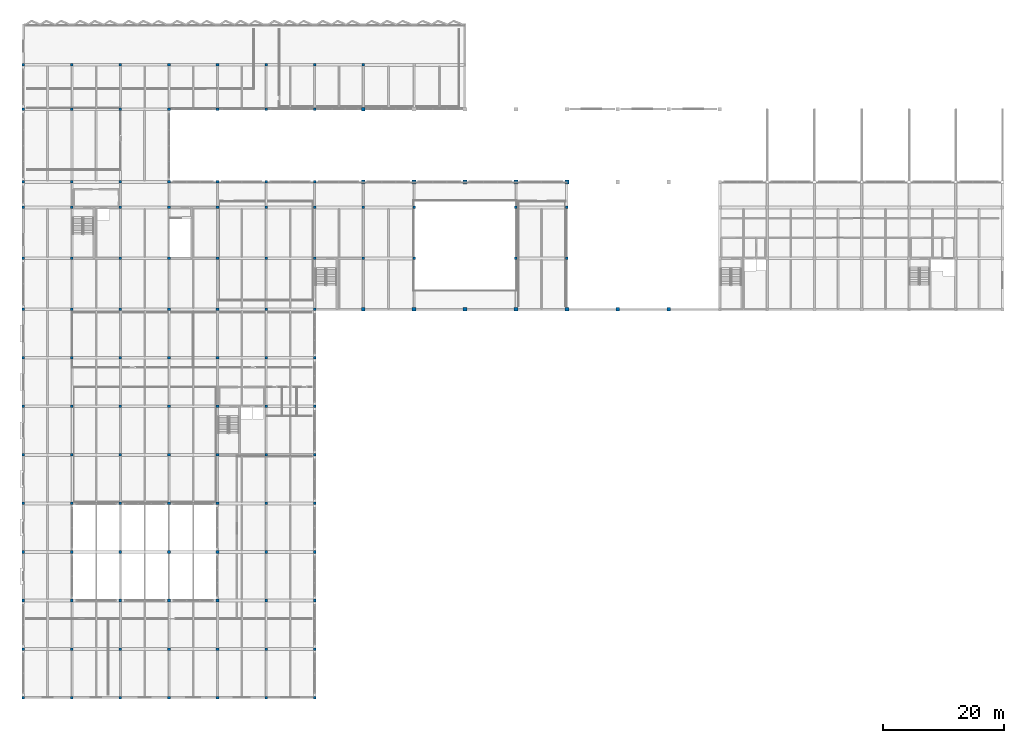
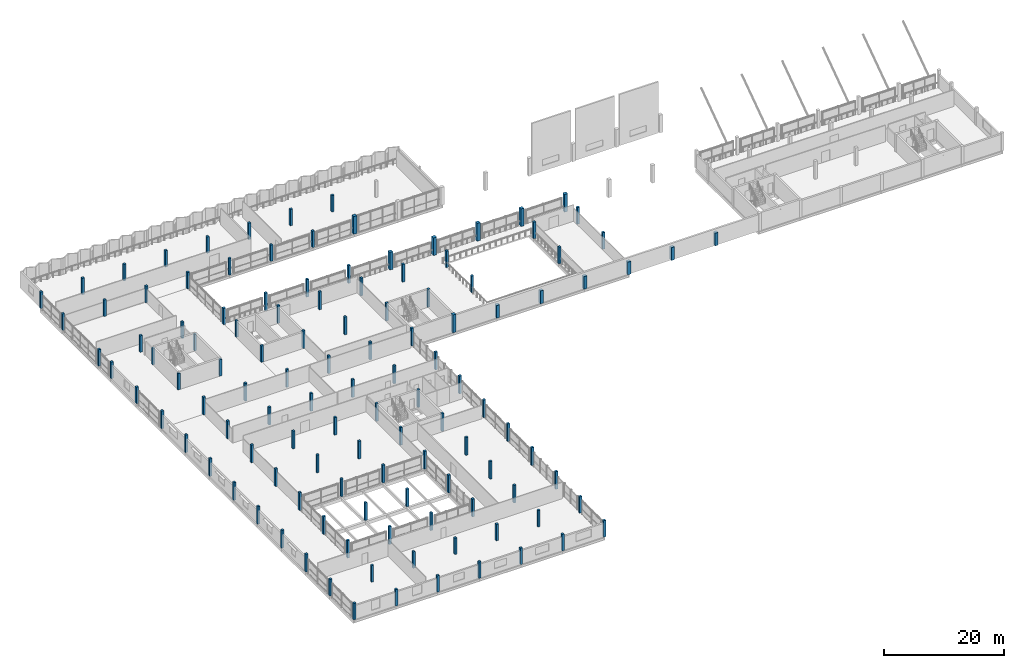
# One storey, part 1 of 51: 120 columns.
"""IFC4 building model written with IfcOpenShell, lengths in metres."""

from ifc_helpers import new_model, si_unit, direction, frame, origin, origin_2d, place, context, subcontext, project, spatial, rectangle, extrude, material, material_profile, profile_set, type_object, element, save


model = new_model("IFC4")

# Units and contexts
model_context = context("Model", 3, precision=1e-05, world=origin(), true_north=direction((0.0, 1.0)))
body_context = subcontext(model_context, "Body", "Model", "MODEL_VIEW")
ifc_project = project(units=[si_unit("LENGTHUNIT", "METRE"), si_unit("AREAUNIT", "SQUARE_METRE"), si_unit("VOLUMEUNIT", "CUBIC_METRE"), si_unit("PLANEANGLEUNIT", "RADIAN"), si_unit("MASSUNIT", "GRAM", prefix="KILO")], contexts=[model_context])

# Site, building, storey
site_placement = place(None, origin())
site = spatial("IfcSite", under=ifc_project, at=site_placement, CompositionType="ELEMENT")
building_placement = place(site_placement, origin())
building = spatial("IfcBuilding", under=site, at=building_placement, Name="Vharandega Faculty of Natural Sciences", CompositionType="ELEMENT")
storey_placement = place(building_placement, frame((0.0, 0.0, 14.39990234375)))
storey = spatial("IfcBuildingStorey", under=building, at=storey_placement, Name="L03", CompositionType="ELEMENT", Elevation=14.39990234375)

# Columns
ifc_material_1 = material(Name="Glulam GL32h", Category="wood")
ifc_material_profile_1 = material_profile(ifc_material_1, rectangle(XDim=0.419921875, YDim=0.419921875, at=origin_2d()), Name="GL32h 420x420")
ifc_profile_set_1 = profile_set([ifc_material_profile_1], Name="Glulam GL32h")
column_type_1 = type_object("IfcColumnType", Name="Glulam Column 420x420", PredefinedType="COLUMN", material=ifc_profile_set_1)
for number, where, z_axis, x_axis, name in (
    (1, (0.0, 0.0, 0.0), (0.0, 0.0, 1.0), (1.0, 0.0, 0.0), "Column 1/A L03"),
    (2, (0.0, 8.0, 0.0), (0.0, 0.0, 1.0), (1.0, 0.0, 0.0), "Column 1/B L03"),
):
    element("IfcColumn", number, at=place(storey_placement, frame(where, z_axis=z_axis, x_axis=x_axis)), inside=storey, type_object=column_type_1, Name=name, PredefinedType="COLUMN", context=body_context, shape_type="SweptSolid", body=[
        extrude(rectangle(XDim=0.419921875, YDim=0.419921875, at=origin_2d()), origin(), (0.0, 0.0, 1.0), 3.340087890625),
    ])
for number, where, z_axis, x_axis, name in (
    (3, (0.0, 16.0, 0.0), (0.0, 0.0, 1.0), (1.0, 0.0, 0.0), "Column 1/C L03"),
    (4, (0.0, 24.0, 0.0), (0.0, 0.0, 1.0), (1.0, 0.0, 0.0), "Column 1/D L03"),
    (5, (0.0, 32.0, 0.0), (0.0, 0.0, 1.0), (1.0, 0.0, 0.0), "Column 1/E L03"),
    (6, (0.0, 40.0, 0.0), (0.0, 0.0, 1.0), (1.0, 0.0, 0.0), "Column 1/F L03"),
    (7, (0.0, 48.0, 0.0), (0.0, 0.0, 1.0), (1.0, 0.0, 0.0), "Column 1/G L03"),
    (8, (0.0, 56.0, 0.0), (0.0, 0.0, 1.0), (1.0, 0.0, 0.0), "Column 1/H L03"),
    (9, (0.0, 64.0, 0.0), (0.0, 0.0, 1.0), (1.0, 0.0, 0.0), "Column 1/J L03"),
):
    element("IfcColumn", number, at=place(storey_placement, frame(where, z_axis=z_axis, x_axis=x_axis)), inside=storey, type_object=column_type_1, Name=name, PredefinedType="COLUMN", context=body_context, shape_type="SweptSolid", body=[
        extrude(rectangle(XDim=0.419921875, YDim=0.419921875, at=origin_2d()), origin(), (0.0, 0.0, 1.0), 3.60009765625),
    ])
for number, where, z_axis, x_axis, name in (
    (10, (0.0, 72.39990234375, 0.0), (0.0, 0.0, 1.0), (1.0, 0.0, 0.0), "Column 1/K L03"),
    (11, (0.0, 80.800048828125, 0.0), (0.0, 0.0, 1.0), (1.0, 0.0, 0.0), "Column 1/L L03"),
    (12, (0.0, 85.0, 0.0), (0.0, 0.0, 1.0), (1.0, 0.0, 0.0), "Column 1/M L03"),
    (13, (0.0, 97.0, 0.0), (0.0, 0.0, 1.0), (1.0, 0.0, 0.0), "Column 1/N L03"),
    (14, (0.0, 104.300048828125, 0.0), (0.0, 0.0, 1.0), (1.0, 0.0, 0.0), "Column 1/P L03"),
):
    element("IfcColumn", number, at=place(storey_placement, frame(where, z_axis=z_axis, x_axis=x_axis)), inside=storey, type_object=column_type_1, Name=name, PredefinedType="COLUMN", context=body_context, shape_type="SweptSolid", body=[
        extrude(rectangle(XDim=0.419921875, YDim=0.419921875, at=origin_2d()), origin(), (0.0, 0.0, 1.0), 3.340087890625),
    ])
for number, where, z_axis, x_axis, name in (
    (15, (81.199951171875, 72.39990234375, 0.0), (0.0, 0.0, 1.0), (1.0, 0.0, 0.0), "Column 11/K L03"),
    (16, (81.199951171875, 80.800048828125, 0.0), (0.0, 0.0, 1.0), (1.0, 0.0, 0.0), "Column 11/L L03"),
    (17, (89.60009765625, 72.39990234375, 0.0), (0.0, 0.0, 1.0), (1.0, 0.0, 0.0), "Column 12/K L03"),
    (18, (89.60009765625, 80.800048828125, 0.0), (0.0, 0.0, 1.0), (1.0, 0.0, 0.0), "Column 12/L L03"),
):
    element("IfcColumn", number, at=place(storey_placement, frame(where, z_axis=z_axis, x_axis=x_axis)), inside=storey, type_object=column_type_1, Name=name, PredefinedType="COLUMN", context=body_context, shape_type="SweptSolid", body=[
        extrude(rectangle(XDim=0.419921875, YDim=0.419921875, at=origin_2d()), origin(), (0.0, 0.0, 1.0), 3.380126953125),
    ])
for number, where, z_axis, x_axis, name in (
    (19, (8.0, 0.0, 0.0), (0.0, 0.0, 1.0), (1.0, 0.0, 0.0), "Column 2/A L03"),
    (20, (8.0, 8.0, 0.0), (0.0, 0.0, 1.0), (1.0, 0.0, 0.0), "Column 2/B L03"),
):
    element("IfcColumn", number, at=place(storey_placement, frame(where, z_axis=z_axis, x_axis=x_axis)), inside=storey, type_object=column_type_1, Name=name, PredefinedType="COLUMN", context=body_context, shape_type="SweptSolid", body=[
        extrude(rectangle(XDim=0.419921875, YDim=0.419921875, at=origin_2d()), origin(), (0.0, 0.0, 1.0), 3.340087890625),
    ])
for number, where, z_axis, x_axis, name in (
    (21, (8.0, 16.0, 0.0), (0.0, 0.0, 1.0), (1.0, 0.0, 0.0), "Column 2/C L03"),
    (22, (8.0, 24.0, 0.0), (0.0, 0.0, 1.0), (1.0, 0.0, 0.0), "Column 2/D L03"),
    (23, (8.0, 32.0, 0.0), (0.0, 0.0, 1.0), (1.0, 0.0, 0.0), "Column 2/E L03"),
    (24, (8.0, 40.0, 0.0), (0.0, 0.0, 1.0), (1.0, 0.0, 0.0), "Column 2/F L03"),
    (25, (8.0, 48.0, 0.0), (0.0, 0.0, 1.0), (1.0, 0.0, 0.0), "Column 2/G L03"),
    (26, (8.0, 56.0, 0.0), (0.0, 0.0, 1.0), (1.0, 0.0, 0.0), "Column 2/H L03"),
    (27, (8.0, 64.0, 0.0), (0.0, 0.0, 1.0), (1.0, 0.0, 0.0), "Column 2/J L03"),
):
    element("IfcColumn", number, at=place(storey_placement, frame(where, z_axis=z_axis, x_axis=x_axis)), inside=storey, type_object=column_type_1, Name=name, PredefinedType="COLUMN", context=body_context, shape_type="SweptSolid", body=[
        extrude(rectangle(XDim=0.419921875, YDim=0.419921875, at=origin_2d()), origin(), (0.0, 0.0, 1.0), 3.60009765625),
    ])
for number, where, z_axis, x_axis, name in (
    (28, (8.0, 72.39990234375, 0.0), (0.0, 0.0, 1.0), (1.0, 0.0, 0.0), "Column 2/K L03"),
    (29, (8.0, 80.800048828125, 0.0), (0.0, 0.0, 1.0), (1.0, 0.0, 0.0), "Column 2/L L03"),
    (30, (8.0, 85.0, 0.0), (0.0, 0.0, 1.0), (1.0, 0.0, 0.0), "Column 2/M L03"),
    (31, (8.0, 97.0, 0.0), (0.0, 0.0, 1.0), (1.0, 0.0, 0.0), "Column 2/N L03"),
    (32, (8.0, 104.300048828125, 0.0), (0.0, 0.0, 1.0), (1.0, 0.0, 0.0), "Column 2/P L03"),
    (33, (16.0, 0.0, 0.0), (0.0, 0.0, 1.0), (1.0, 0.0, 0.0), "Column 3/A L03"),
    (34, (16.0, 8.0, 0.0), (0.0, 0.0, 1.0), (1.0, 0.0, 0.0), "Column 3/B L03"),
):
    element("IfcColumn", number, at=place(storey_placement, frame(where, z_axis=z_axis, x_axis=x_axis)), inside=storey, type_object=column_type_1, Name=name, PredefinedType="COLUMN", context=body_context, shape_type="SweptSolid", body=[
        extrude(rectangle(XDim=0.419921875, YDim=0.419921875, at=origin_2d()), origin(), (0.0, 0.0, 1.0), 3.340087890625),
    ])
for number, where, z_axis, x_axis, name in (
    (35, (16.0, 16.0, 0.0), (0.0, 0.0, 1.0), (1.0, 0.0, 0.0), "Column 3/C L03"),
    (36, (16.0, 24.0, 0.0), (0.0, 0.0, 1.0), (1.0, 0.0, 0.0), "Column 3/D L03"),
    (37, (16.0, 32.0, 0.0), (0.0, 0.0, 1.0), (1.0, 0.0, 0.0), "Column 3/E L03"),
    (38, (16.0, 40.0, 0.0), (0.0, 0.0, 1.0), (1.0, 0.0, 0.0), "Column 3/F L03"),
    (39, (16.0, 48.0, 0.0), (0.0, 0.0, 1.0), (1.0, 0.0, 0.0), "Column 3/G L03"),
    (40, (16.0, 56.0, 0.0), (0.0, 0.0, 1.0), (1.0, 0.0, 0.0), "Column 3/H L03"),
    (41, (16.0, 64.0, 0.0), (0.0, 0.0, 1.0), (1.0, 0.0, 0.0), "Column 3/J L03"),
):
    element("IfcColumn", number, at=place(storey_placement, frame(where, z_axis=z_axis, x_axis=x_axis)), inside=storey, type_object=column_type_1, Name=name, PredefinedType="COLUMN", context=body_context, shape_type="SweptSolid", body=[
        extrude(rectangle(XDim=0.419921875, YDim=0.419921875, at=origin_2d()), origin(), (0.0, 0.0, 1.0), 3.60009765625),
    ])
for number, where, z_axis, x_axis, name in (
    (42, (16.0, 72.39990234375, 0.0), (0.0, 0.0, 1.0), (1.0, 0.0, 0.0), "Column 3/K L03"),
    (43, (16.0, 80.800048828125, 0.0), (0.0, 0.0, 1.0), (1.0, 0.0, 0.0), "Column 3/L L03"),
    (44, (16.0, 85.0, 0.0), (0.0, 0.0, 1.0), (1.0, 0.0, 0.0), "Column 3/M L03"),
    (45, (16.0, 97.0, 0.0), (0.0, 0.0, 1.0), (1.0, 0.0, 0.0), "Column 3/N L03"),
    (46, (16.0, 104.300048828125, 0.0), (0.0, 0.0, 1.0), (1.0, 0.0, 0.0), "Column 3/P L03"),
    (47, (24.0, 0.0, 0.0), (0.0, 0.0, 1.0), (1.0, 0.0, 0.0), "Column 4/A L03"),
    (48, (24.0, 8.0, 0.0), (0.0, 0.0, 1.0), (1.0, 0.0, 0.0), "Column 4/B L03"),
):
    element("IfcColumn", number, at=place(storey_placement, frame(where, z_axis=z_axis, x_axis=x_axis)), inside=storey, type_object=column_type_1, Name=name, PredefinedType="COLUMN", context=body_context, shape_type="SweptSolid", body=[
        extrude(rectangle(XDim=0.419921875, YDim=0.419921875, at=origin_2d()), origin(), (0.0, 0.0, 1.0), 3.340087890625),
    ])
for number, where, z_axis, x_axis, name in (
    (49, (24.0, 16.0, 0.0), (0.0, 0.0, 1.0), (1.0, 0.0, 0.0), "Column 4/C L03"),
    (50, (24.0, 24.0, 0.0), (0.0, 0.0, 1.0), (1.0, 0.0, 0.0), "Column 4/D L03"),
    (51, (24.0, 32.0, 0.0), (0.0, 0.0, 1.0), (1.0, 0.0, 0.0), "Column 4/E L03"),
    (52, (24.0, 40.0, 0.0), (0.0, 0.0, 1.0), (1.0, 0.0, 0.0), "Column 4/F L03"),
    (53, (24.0, 48.0, 0.0), (0.0, 0.0, 1.0), (1.0, 0.0, 0.0), "Column 4/G L03"),
    (54, (24.0, 56.0, 0.0), (0.0, 0.0, 1.0), (1.0, 0.0, 0.0), "Column 4/H L03"),
    (55, (24.0, 64.0, 0.0), (0.0, 0.0, 1.0), (1.0, 0.0, 0.0), "Column 4/J L03"),
):
    element("IfcColumn", number, at=place(storey_placement, frame(where, z_axis=z_axis, x_axis=x_axis)), inside=storey, type_object=column_type_1, Name=name, PredefinedType="COLUMN", context=body_context, shape_type="SweptSolid", body=[
        extrude(rectangle(XDim=0.419921875, YDim=0.419921875, at=origin_2d()), origin(), (0.0, 0.0, 1.0), 3.60009765625),
    ])
for number, where, z_axis, x_axis, name in (
    (56, (24.0, 72.39990234375, 0.0), (0.0, 0.0, 1.0), (1.0, 0.0, 0.0), "Column 4/K L03"),
    (57, (24.0, 80.800048828125, 0.0), (0.0, 0.0, 1.0), (1.0, 0.0, 0.0), "Column 4/L L03"),
    (58, (24.0, 85.0, 0.0), (0.0, 0.0, 1.0), (1.0, 0.0, 0.0), "Column 4/M L03"),
    (59, (24.0, 97.0, 0.0), (0.0, 0.0, 1.0), (1.0, 0.0, 0.0), "Column 4/N L03"),
    (60, (24.0, 104.300048828125, 0.0), (0.0, 0.0, 1.0), (1.0, 0.0, 0.0), "Column 4/P L03"),
    (61, (32.0, 0.0, 0.0), (0.0, 0.0, 1.0), (1.0, 0.0, 0.0), "Column 5/A L03"),
    (62, (32.0, 8.0, 0.0), (0.0, 0.0, 1.0), (1.0, 0.0, 0.0), "Column 5/B L03"),
):
    element("IfcColumn", number, at=place(storey_placement, frame(where, z_axis=z_axis, x_axis=x_axis)), inside=storey, type_object=column_type_1, Name=name, PredefinedType="COLUMN", context=body_context, shape_type="SweptSolid", body=[
        extrude(rectangle(XDim=0.419921875, YDim=0.419921875, at=origin_2d()), origin(), (0.0, 0.0, 1.0), 3.340087890625),
    ])
for number, where, z_axis, x_axis, name in (
    (63, (32.0, 16.0, 0.0), (0.0, 0.0, 1.0), (1.0, 0.0, 0.0), "Column 5/C L03"),
    (64, (32.0, 24.0, 0.0), (0.0, 0.0, 1.0), (1.0, 0.0, 0.0), "Column 5/D L03"),
    (65, (32.0, 32.0, 0.0), (0.0, 0.0, 1.0), (1.0, 0.0, 0.0), "Column 5/E L03"),
    (66, (32.0, 40.0, 0.0), (0.0, 0.0, 1.0), (1.0, 0.0, 0.0), "Column 5/F L03"),
    (67, (32.0, 48.0, 0.0), (0.0, 0.0, 1.0), (1.0, 0.0, 0.0), "Column 5/G L03"),
    (68, (32.0, 56.0, 0.0), (0.0, 0.0, 1.0), (1.0, 0.0, 0.0), "Column 5/H L03"),
    (69, (32.0, 64.0, 0.0), (0.0, 0.0, 1.0), (1.0, 0.0, 0.0), "Column 5/J L03"),
    (70, (32.0, 72.39990234375, 0.0), (0.0, 0.0, 1.0), (1.0, 0.0, 0.0), "Column 5/K L03"),
    (71, (32.0, 80.800048828125, 0.0), (0.0, 0.0, 1.0), (1.0, 0.0, 0.0), "Column 5/L L03"),
    (72, (32.0, 85.0, 0.0), (0.0, 0.0, 1.0), (1.0, 0.0, 0.0), "Column 5/M L03"),
):
    element("IfcColumn", number, at=place(storey_placement, frame(where, z_axis=z_axis, x_axis=x_axis)), inside=storey, type_object=column_type_1, Name=name, PredefinedType="COLUMN", context=body_context, shape_type="SweptSolid", body=[
        extrude(rectangle(XDim=0.419921875, YDim=0.419921875, at=origin_2d()), origin(), (0.0, 0.0, 1.0), 3.60009765625),
    ])
for number, where, z_axis, x_axis, name in (
    (73, (32.0, 97.0, 0.0), (0.0, 0.0, 1.0), (1.0, 0.0, 0.0), "Column 5/N L03"),
    (74, (32.0, 104.300048828125, 0.0), (0.0, 0.0, 1.0), (1.0, 0.0, 0.0), "Column 5/P L03"),
    (75, (40.0, 0.0, 0.0), (0.0, 0.0, 1.0), (1.0, 0.0, 0.0), "Column 6/A L03"),
    (76, (40.0, 8.0, 0.0), (0.0, 0.0, 1.0), (1.0, 0.0, 0.0), "Column 6/B L03"),
):
    element("IfcColumn", number, at=place(storey_placement, frame(where, z_axis=z_axis, x_axis=x_axis)), inside=storey, type_object=column_type_1, Name=name, PredefinedType="COLUMN", context=body_context, shape_type="SweptSolid", body=[
        extrude(rectangle(XDim=0.419921875, YDim=0.419921875, at=origin_2d()), origin(), (0.0, 0.0, 1.0), 3.340087890625),
    ])
for number, where, z_axis, x_axis, name in (
    (77, (40.0, 16.0, 0.0), (0.0, 0.0, 1.0), (1.0, 0.0, 0.0), "Column 6/C L03"),
    (78, (40.0, 24.0, 0.0), (0.0, 0.0, 1.0), (1.0, 0.0, 0.0), "Column 6/D L03"),
    (79, (40.0, 32.0, 0.0), (0.0, 0.0, 1.0), (1.0, 0.0, 0.0), "Column 6/E L03"),
    (80, (40.0, 40.0, 0.0), (0.0, 0.0, 1.0), (1.0, 0.0, 0.0), "Column 6/F L03"),
    (81, (40.0, 48.0, 0.0), (0.0, 0.0, 1.0), (1.0, 0.0, 0.0), "Column 6/G L03"),
    (82, (40.0, 56.0, 0.0), (0.0, 0.0, 1.0), (1.0, 0.0, 0.0), "Column 6/H L03"),
    (83, (40.0, 64.0, 0.0), (0.0, 0.0, 1.0), (1.0, 0.0, 0.0), "Column 6/J L03"),
    (84, (40.0, 72.39990234375, 0.0), (0.0, 0.0, 1.0), (1.0, 0.0, 0.0), "Column 6/K L03"),
    (85, (40.0, 80.800048828125, 0.0), (0.0, 0.0, 1.0), (1.0, 0.0, 0.0), "Column 6/L L03"),
    (86, (40.0, 85.0, 0.0), (0.0, 0.0, 1.0), (1.0, 0.0, 0.0), "Column 6/M L03"),
):
    element("IfcColumn", number, at=place(storey_placement, frame(where, z_axis=z_axis, x_axis=x_axis)), inside=storey, type_object=column_type_1, Name=name, PredefinedType="COLUMN", context=body_context, shape_type="SweptSolid", body=[
        extrude(rectangle(XDim=0.419921875, YDim=0.419921875, at=origin_2d()), origin(), (0.0, 0.0, 1.0), 3.60009765625),
    ])
for number, where, z_axis, x_axis, name in (
    (87, (40.0, 97.0, 0.0), (0.0, 0.0, 1.0), (1.0, 0.0, 0.0), "Column 6/N L03"),
    (88, (40.0, 104.300048828125, 0.0), (0.0, 0.0, 1.0), (1.0, 0.0, 0.0), "Column 6/P L03"),
    (89, (48.0, 0.0, 0.0), (0.0, 0.0, 1.0), (1.0, 0.0, 0.0), "Column 7/A L03"),
    (90, (48.0, 8.0, 0.0), (0.0, 0.0, 1.0), (1.0, 0.0, 0.0), "Column 7/B L03"),
):
    element("IfcColumn", number, at=place(storey_placement, frame(where, z_axis=z_axis, x_axis=x_axis)), inside=storey, type_object=column_type_1, Name=name, PredefinedType="COLUMN", context=body_context, shape_type="SweptSolid", body=[
        extrude(rectangle(XDim=0.419921875, YDim=0.419921875, at=origin_2d()), origin(), (0.0, 0.0, 1.0), 3.340087890625),
    ])
for number, where, z_axis, x_axis, name in (
    (91, (48.0, 16.0, 0.0), (0.0, 0.0, 1.0), (1.0, 0.0, 0.0), "Column 7/C L03"),
    (92, (48.0, 24.0, 0.0), (0.0, 0.0, 1.0), (1.0, 0.0, 0.0), "Column 7/D L03"),
    (93, (48.0, 32.0, 0.0), (0.0, 0.0, 1.0), (1.0, 0.0, 0.0), "Column 7/E L03"),
    (94, (48.0, 40.0, 0.0), (0.0, 0.0, 1.0), (1.0, 0.0, 0.0), "Column 7/F L03"),
    (95, (48.0, 48.0, 0.0), (0.0, 0.0, 1.0), (1.0, 0.0, 0.0), "Column 7/G L03"),
    (96, (48.0, 56.0, 0.0), (0.0, 0.0, 1.0), (1.0, 0.0, 0.0), "Column 7/H L03"),
    (97, (48.0, 64.0, 0.0), (0.0, 0.0, 1.0), (1.0, 0.0, 0.0), "Column 7/J L03"),
    (98, (48.0, 72.39990234375, 0.0), (0.0, 0.0, 1.0), (1.0, 0.0, 0.0), "Column 7/K L03"),
    (99, (48.0, 80.800048828125, 0.0), (0.0, 0.0, 1.0), (1.0, 0.0, 0.0), "Column 7/L L03"),
    (100, (48.0, 85.0, 0.0), (0.0, 0.0, 1.0), (1.0, 0.0, 0.0), "Column 7/M L03"),
):
    element("IfcColumn", number, at=place(storey_placement, frame(where, z_axis=z_axis, x_axis=x_axis)), inside=storey, type_object=column_type_1, Name=name, PredefinedType="COLUMN", context=body_context, shape_type="SweptSolid", body=[
        extrude(rectangle(XDim=0.419921875, YDim=0.419921875, at=origin_2d()), origin(), (0.0, 0.0, 1.0), 3.60009765625),
    ])
for number, where, z_axis, x_axis, name in (
    (101, (48.0, 97.0, 0.0), (0.0, 0.0, 1.0), (1.0, 0.0, 0.0), "Column 7/N L03"),
    (102, (48.0, 104.300048828125, 0.0), (0.0, 0.0, 1.0), (1.0, 0.0, 0.0), "Column 7/P L03"),
):
    element("IfcColumn", number, at=place(storey_placement, frame(where, z_axis=z_axis, x_axis=x_axis)), inside=storey, type_object=column_type_1, Name=name, PredefinedType="COLUMN", context=body_context, shape_type="SweptSolid", body=[
        extrude(rectangle(XDim=0.419921875, YDim=0.419921875, at=origin_2d()), origin(), (0.0, 0.0, 1.0), 3.340087890625),
    ])
for number, where, z_axis, x_axis, name in (
    (103, (56.0, 72.39990234375, 0.0), (0.0, 0.0, 1.0), (1.0, 0.0, 0.0), "Column 8/K L03"),
    (104, (56.0, 80.800048828125, 0.0), (0.0, 0.0, 1.0), (1.0, 0.0, 0.0), "Column 8/L L03"),
):
    element("IfcColumn", number, at=place(storey_placement, frame(where, z_axis=z_axis, x_axis=x_axis)), inside=storey, type_object=column_type_1, Name=name, PredefinedType="COLUMN", context=body_context, shape_type="SweptSolid", body=[
        extrude(rectangle(XDim=0.419921875, YDim=0.419921875, at=origin_2d()), origin(), (0.0, 0.0, 1.0), 3.60009765625),
    ])
column_1_placement = place(storey_placement, frame((56.0, 104.300048828125, 0.0), z_axis=(0.0, 0.0, 1.0), x_axis=(1.0, 0.0, 0.0)))
element("IfcColumn", 105, at=column_1_placement, inside=storey, type_object=column_type_1, Name="Column 8/P L03", PredefinedType="COLUMN", context=body_context, shape_type="SweptSolid", body=[
    extrude(rectangle(XDim=0.419921875, YDim=0.419921875, at=origin_2d()), origin(), (0.0, 0.0, 1.0), 3.340087890625),
])
for number, where, z_axis, x_axis, name in (
    (106, (64.39990234375, 72.39990234375, 0.0), (0.0, 0.0, 1.0), (1.0, 0.0, 0.0), "Column 9/K L03"),
    (107, (64.39990234375, 80.800048828125, 0.0), (0.0, 0.0, 1.0), (1.0, 0.0, 0.0), "Column 9/L L03"),
):
    element("IfcColumn", number, at=place(storey_placement, frame(where, z_axis=z_axis, x_axis=x_axis)), inside=storey, type_object=column_type_1, Name=name, PredefinedType="COLUMN", context=body_context, shape_type="SweptSolid", body=[
        extrude(rectangle(XDim=0.419921875, YDim=0.419921875, at=origin_2d()), origin(), (0.0, 0.0, 1.0), 3.380126953125),
    ])
ifc_material_2 = material(Name="Concrete C40/50", Category="concrete")
ifc_material_profile_2 = material_profile(ifc_material_2, rectangle(XDim=0.60009765625, YDim=0.60009765625, at=origin_2d()), Name="RC 600x600")
ifc_profile_set_2 = profile_set([ifc_material_profile_2], Name="Concrete C40/50")
column_type_2 = type_object("IfcColumnType", Name="RC Column 600x600", PredefinedType="COLUMN", material=ifc_profile_set_2)
column_2_placement = place(storey_placement, frame((72.800048828125, 64.0, 0.0), z_axis=(0.0, 0.0, 1.0), x_axis=(1.0, 0.0, 0.0)))
element("IfcColumn", 108, at=column_2_placement, inside=storey, type_object=column_type_2, Name="Column 10/J L03", PredefinedType="COLUMN", context=body_context, shape_type="SweptSolid", body=[
    extrude(rectangle(XDim=0.60009765625, YDim=0.60009765625, at=origin_2d()), origin(), (0.0, 0.0, 1.0), 2.590087890625),
])
column_3_placement = place(storey_placement, frame((72.800048828125, 85.0, 0.0), z_axis=(0.0, 0.0, 1.0), x_axis=(1.0, 0.0, 0.0)))
element("IfcColumn", 109, at=column_3_placement, inside=storey, type_object=column_type_2, Name="Column 10/M L03", PredefinedType="COLUMN", context=body_context, shape_type="SweptSolid", body=[
    extrude(rectangle(XDim=0.60009765625, YDim=0.60009765625, at=origin_2d()), origin(), (0.0, 0.0, 1.0), 3.60009765625),
])
column_4_placement = place(storey_placement, frame((81.199951171875, 64.0, 0.0), z_axis=(0.0, 0.0, 1.0), x_axis=(1.0, 0.0, 0.0)))
element("IfcColumn", 110, at=column_4_placement, inside=storey, type_object=column_type_2, Name="Column 11/J L03", PredefinedType="COLUMN", context=body_context, shape_type="SweptSolid", body=[
    extrude(rectangle(XDim=0.60009765625, YDim=0.60009765625, at=origin_2d()), origin(), (0.0, 0.0, 1.0), 2.590087890625),
])
column_5_placement = place(storey_placement, frame((81.199951171875, 85.0, 0.0), z_axis=(0.0, 0.0, 1.0), x_axis=(1.0, 0.0, 0.0)))
element("IfcColumn", 111, at=column_5_placement, inside=storey, type_object=column_type_2, Name="Column 11/M L03", PredefinedType="COLUMN", context=body_context, shape_type="SweptSolid", body=[
    extrude(rectangle(XDim=0.60009765625, YDim=0.60009765625, at=origin_2d()), origin(), (0.0, 0.0, 1.0), 3.60009765625),
])
column_6_placement = place(storey_placement, frame((89.60009765625, 64.0, 0.0), z_axis=(0.0, 0.0, 1.0), x_axis=(1.0, 0.0, 0.0)))
element("IfcColumn", 112, at=column_6_placement, inside=storey, type_object=column_type_2, Name="Column 12/J L03", PredefinedType="COLUMN", context=body_context, shape_type="SweptSolid", body=[
    extrude(rectangle(XDim=0.60009765625, YDim=0.60009765625, at=origin_2d()), origin(), (0.0, 0.0, 1.0), 2.590087890625),
])
column_7_placement = place(storey_placement, frame((89.60009765625, 85.0, 0.0), z_axis=(0.0, 0.0, 1.0), x_axis=(1.0, 0.0, 0.0)))
element("IfcColumn", 113, at=column_7_placement, inside=storey, type_object=column_type_2, Name="Column 12/M L03", PredefinedType="COLUMN", context=body_context, shape_type="SweptSolid", body=[
    extrude(rectangle(XDim=0.60009765625, YDim=0.60009765625, at=origin_2d()), origin(), (0.0, 0.0, 1.0), 3.60009765625),
])
for number, where, z_axis, x_axis, name in (
    (114, (98.0, 64.0, 0.0), (0.0, 0.0, 1.0), (1.0, 0.0, 0.0), "Column 13/J L03"),
    (115, (106.39990234375, 64.0, 0.0), (0.0, 0.0, 1.0), (1.0, 0.0, 0.0), "Column 14/J L03"),
):
    element("IfcColumn", number, at=place(storey_placement, frame(where, z_axis=z_axis, x_axis=x_axis)), inside=storey, type_object=column_type_2, Name=name, PredefinedType="COLUMN", context=body_context, shape_type="SweptSolid", body=[
        extrude(rectangle(XDim=0.60009765625, YDim=0.60009765625, at=origin_2d()), origin(), (0.0, 0.0, 1.0), 2.590087890625),
    ])
for number, where, z_axis, x_axis, name in (
    (116, (56.0, 64.0, 0.0), (0.0, 0.0, 1.0), (1.0, 0.0, 0.0), "Column 8/J L03"),
    (117, (56.0, 85.0, 0.0), (0.0, 0.0, 1.0), (1.0, 0.0, 0.0), "Column 8/M L03"),
    (118, (56.0, 97.0, 0.0), (0.0, 0.0, 1.0), (1.0, 0.0, 0.0), "Column 8/N L03"),
):
    element("IfcColumn", number, at=place(storey_placement, frame(where, z_axis=z_axis, x_axis=x_axis)), inside=storey, type_object=column_type_2, Name=name, PredefinedType="COLUMN", context=body_context, shape_type="SweptSolid", body=[
        extrude(rectangle(XDim=0.60009765625, YDim=0.60009765625, at=origin_2d()), origin(), (0.0, 0.0, 1.0), 3.60009765625),
    ])
column_8_placement = place(storey_placement, frame((64.39990234375, 64.0, 0.0), z_axis=(0.0, 0.0, 1.0), x_axis=(1.0, 0.0, 0.0)))
element("IfcColumn", 119, at=column_8_placement, inside=storey, type_object=column_type_2, Name="Column 9/J L03", PredefinedType="COLUMN", context=body_context, shape_type="SweptSolid", body=[
    extrude(rectangle(XDim=0.60009765625, YDim=0.60009765625, at=origin_2d()), origin(), (0.0, 0.0, 1.0), 2.590087890625),
])
column_9_placement = place(storey_placement, frame((64.39990234375, 85.0, 0.0), z_axis=(0.0, 0.0, 1.0), x_axis=(1.0, 0.0, 0.0)))
element("IfcColumn", 120, at=column_9_placement, inside=storey, type_object=column_type_2, Name="Column 9/M L03", PredefinedType="COLUMN", context=body_context, shape_type="SweptSolid", body=[
    extrude(rectangle(XDim=0.60009765625, YDim=0.60009765625, at=origin_2d()), origin(), (0.0, 0.0, 1.0), 3.60009765625),
])

save(model, "model.ifc")
